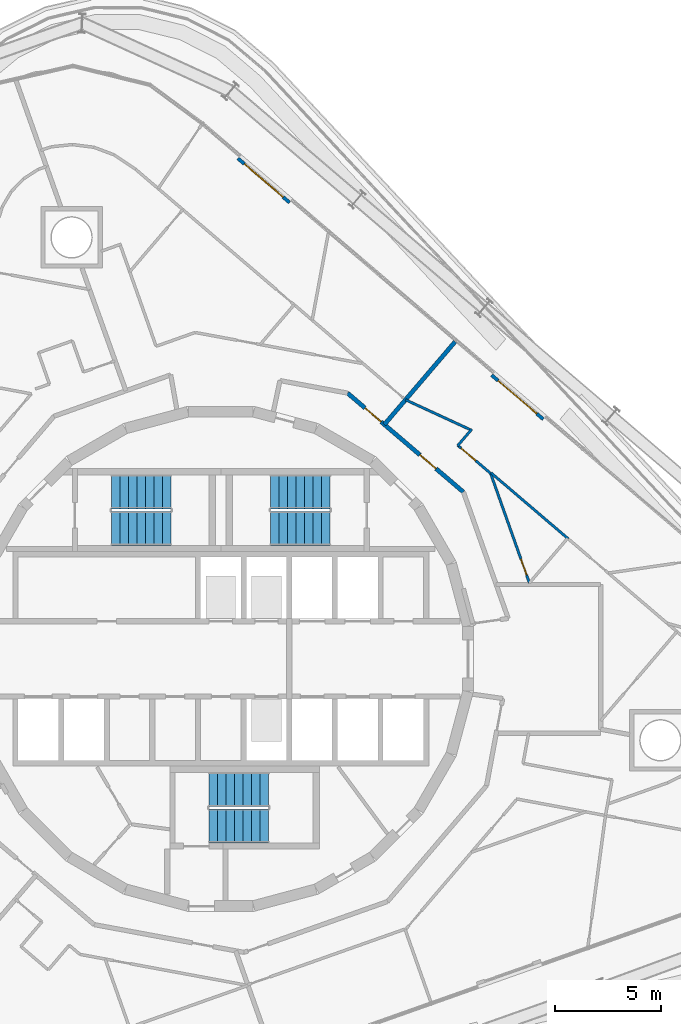
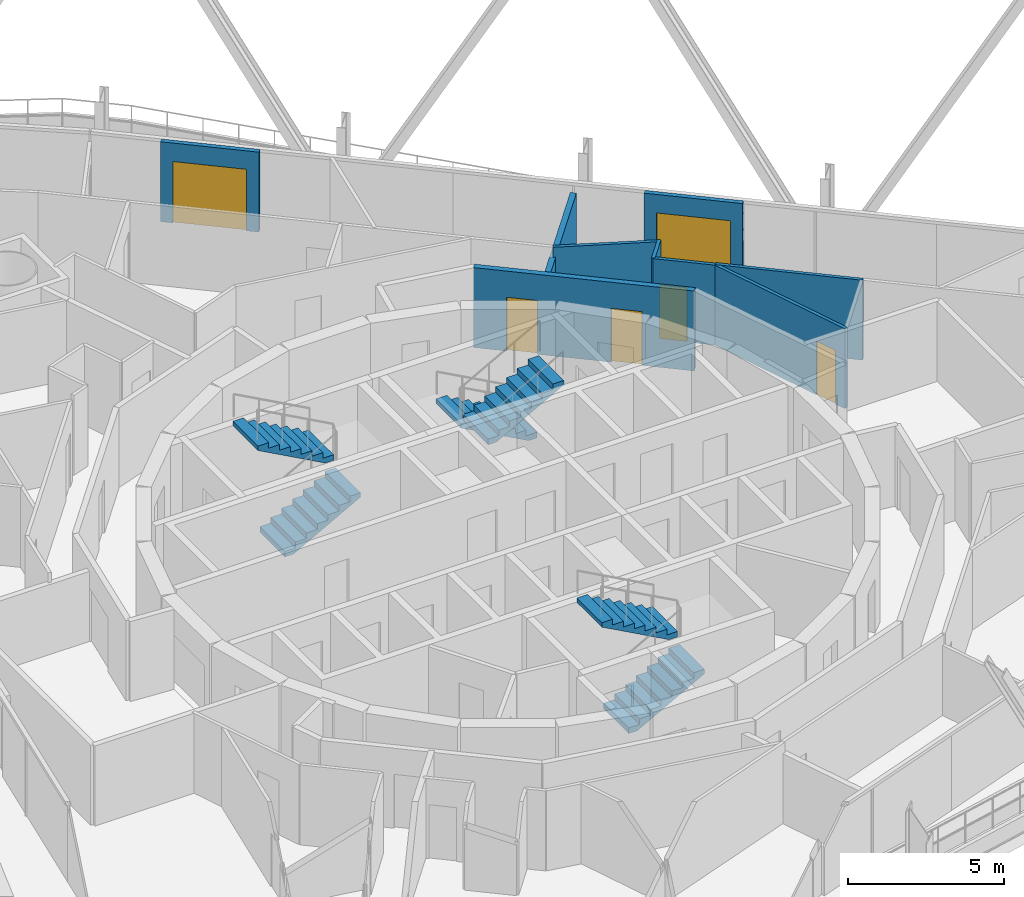
# One storey, part 16 of 25: 9 walls, 6 doors, 6 stair flights, 6 openings, 3 elements without a shape of their own.
"""IFC4 building model written with IfcOpenShell, lengths in metres."""

from ifc_helpers import new_model, si_unit, direction, frame, frame_2d, origin, place, context, subcontext, project, spatial, polyline, rectangle, outline, extrude, material, layer, layer_set, type_object, element, fill, aggregate, save


model = new_model("IFC4")

# Units and contexts
model_context = context("Model", 3, precision=1e-05, world=origin(), true_north=direction((0.0, 1.0)))
body_context = subcontext(model_context, "Body", "Model", "MODEL_VIEW")
ifc_project = project(units=[si_unit("LENGTHUNIT", "METRE"), si_unit("AREAUNIT", "SQUARE_METRE"), si_unit("VOLUMEUNIT", "CUBIC_METRE"), si_unit("PLANEANGLEUNIT", "RADIAN"), si_unit("MASSUNIT", "GRAM", prefix="KILO")], contexts=[model_context])

# Site, building, storey
site_placement = place(None, origin())
site = spatial("IfcSite", under=ifc_project, at=site_placement, CompositionType="ELEMENT")
building_placement = place(site_placement, origin())
building = spatial("IfcBuilding", under=site, at=building_placement, Name="Spindle Arch Residences", CompositionType="ELEMENT")
storey_placement = place(building_placement, frame((0.0, 0.0, 151.699951171875)))
storey = spatial("IfcBuildingStorey", under=building, at=storey_placement, Name="L37", CompositionType="ELEMENT", Elevation=151.699951171875)

# Wall, openings, doors
ifc_material_1 = material(Name="Calcium silicate block, plastered")
ifc_layer_1 = layer(ifc_material_1, 0.199951171875)
ifc_layer_set_1 = layer_set([ifc_layer_1], Name="Corridor wall 200")
wall_type_1 = type_object("IfcWallType", Name="Corridor wall 200", PredefinedType="STANDARD", material=ifc_layer_set_1)
wall_1_placement = place(storey_placement, frame((11.432861328125, 7.857666015625, 0.0), z_axis=(0.0, 0.0, 1.0), x_axis=(-0.760412154545, 0.649440801937, 0.0)))
wall_1 = element("IfcWall", 1, at=wall_1_placement, inside=storey, type_object=wall_type_1, Name="Corridor wall R4A0-W004", PredefinedType="STANDARD", context=body_context, shape_type="SweptSolid", body=[
    extrude(rectangle(XDim=7.180908203125, YDim=0.199951171875, at=frame_2d((3.59033203125, 0.0))), origin(), (0.0, 0.0, 1.0), 3.1201171875),
])
opening_1_placement = place(wall_1_placement, frame((1.699951171875, 0.0, 0.0)))
opening_1 = element("IfcOpeningElement", 2, at=opening_1_placement, cuts=wall_1, Name="Opening R4A0-FD01", PredefinedType="OPENING", context=body_context, shape_type="SweptSolid", body=[
    extrude(rectangle(XDim=1.0, YDim=2.10009765625, at=frame_2d((0.5, 1.050048828125))), frame((0.0, 0.10986328125, 0.0), z_axis=(0.0, -1.0, 0.0), x_axis=(1.0, 0.0, 0.0)), (0.0, 0.0, 1.0), 0.219970703125),
])
opening_2_placement = place(wall_1_placement, frame((5.1005859375, 0.0, 0.0)))
opening_2 = element("IfcOpeningElement", 3, at=opening_2_placement, cuts=wall_1, Name="Opening R4A0-FD02", PredefinedType="OPENING", context=body_context, shape_type="SweptSolid", body=[
    extrude(rectangle(XDim=1.0, YDim=2.10009765625, at=frame_2d((0.5, 1.050048828125))), frame((0.0, 0.10986328125, 0.0), z_axis=(0.0, -1.0, 0.0), x_axis=(1.0, 0.0, 0.0)), (0.0, 0.0, 1.0), 0.219970703125),
])
ifc_material_2 = material(Name="Timber, fire-resisting door set", Category="wood")
door_type_1 = type_object("IfcDoorType", Name="Flat entrance door 1000x2100", OperationType="NOTDEFINED", PredefinedType="DOOR", material=ifc_material_2)
door_1_placement = place(opening_1_placement, origin())
door_1 = element("IfcDoor", 4, at=door_1_placement, inside=storey, type_object=door_type_1, Name="Flat entrance door R4A0-FD01", OperationType="SINGLE_SWING_LEFT", OverallHeight=2.10009765625, OverallWidth=1.0, PredefinedType="DOOR", context=body_context, shape_type="SweptSolid", body=[
    extrude(rectangle(XDim=1.0, YDim=2.10009765625, at=frame_2d((0.5, 1.050048828125))), frame((0.0, 0.02490234375, 0.0), z_axis=(0.0, -1.0, 0.0), x_axis=(1.0, 0.0, 0.0)), (0.0, 0.0, 1.0), 0.050048828125),
])
fill(opening_1, door_1)
door_2_placement = place(opening_2_placement, origin())
door_2 = element("IfcDoor", 5, at=door_2_placement, inside=storey, type_object=door_type_1, Name="Flat entrance door R4A0-FD02", OperationType="SINGLE_SWING_RIGHT", OverallHeight=2.10009765625, OverallWidth=1.0, PredefinedType="DOOR", context=body_context, shape_type="SweptSolid", body=[
    extrude(rectangle(XDim=1.0, YDim=2.10009765625, at=frame_2d((0.5, 1.050048828125))), frame((0.0, 0.02490234375, 0.0), z_axis=(0.0, -1.0, 0.0), x_axis=(1.0, 0.0, 0.0)), (0.0, 0.0, 1.0), 0.050048828125),
])
fill(opening_2, door_2)

# Wall, opening, door
ifc_material_3 = material(Name="Plasterboard on steel studs", Category="steel")
ifc_layer_2 = layer(ifc_material_3, 0.1201171875)
ifc_layer_set_2 = layer_set([ifc_layer_2], Name="Flat partition 120")
wall_type_2 = type_object("IfcWallType", Name="Flat partition 120", PredefinedType="PARTITIONING", material=ifc_layer_set_2)
wall_2_placement = place(storey_placement, frame((14.540771484375, 3.57470703125, 0.0), z_axis=(0.0, 0.0, 1.0), x_axis=(-0.333799280318, 0.942644174893, 0.0)))
wall_2 = element("IfcWall", 6, at=wall_2_placement, inside=storey, type_object=wall_type_2, Name="Flat partition R4A0-W039", PredefinedType="PARTITIONING", context=body_context, shape_type="SweptSolid", body=[
    extrude(rectangle(XDim=5.476806640625, YDim=0.1201171875, at=frame_2d((2.73828125, 0.0))), origin(), (0.0, 0.0, 1.0), 3.1201171875),
])
opening_3_placement = place(wall_2_placement, frame((0.39990234375, 0.0, 0.0)))
opening_3 = element("IfcOpeningElement", 7, at=opening_3_placement, cuts=wall_2, Name="Opening R4A0-BD01", PredefinedType="OPENING", context=body_context, shape_type="SweptSolid", body=[
    extrude(rectangle(XDim=0.800048828125, YDim=2.10009765625, at=frame_2d((0.39990234375, 1.050048828125))), frame((0.0, 0.070068359375, 0.0), z_axis=(0.0, -1.0, 0.0), x_axis=(1.0, 0.0, 0.0)), (0.0, 0.0, 1.0), 0.14013671875),
])
ifc_material_4 = material(Name="Timber door set", Category="wood")
door_type_2 = type_object("IfcDoorType", Name="Bathroom door 800x2100", OperationType="NOTDEFINED", PredefinedType="DOOR", material=ifc_material_4)
door_3_placement = place(opening_3_placement, origin())
door_3 = element("IfcDoor", 8, at=door_3_placement, inside=storey, type_object=door_type_2, Name="Bathroom door R4A0-BD01", OperationType="SINGLE_SWING_LEFT", OverallHeight=2.10009765625, OverallWidth=0.800048828125, PredefinedType="DOOR", context=body_context, shape_type="SweptSolid", body=[
    extrude(rectangle(XDim=0.800048828125, YDim=2.10009765625, at=frame_2d((0.39990234375, 1.050048828125))), frame((0.0, 0.02490234375, 0.0), z_axis=(0.0, -1.0, 0.0), x_axis=(1.0, 0.0, 0.0)), (0.0, 0.0, 1.0), 0.050048828125),
])
fill(opening_3, door_3)

wall_3_placement = place(storey_placement, frame((12.712646484375, 8.7373046875, 0.0), z_axis=(0.0, 0.0, 1.0), x_axis=(-0.760410825807, 0.649442357716, 0.0)))
wall_3 = element("IfcWall", 9, at=wall_3_placement, inside=storey, type_object=wall_type_2, Name="Flat partition R4A0-W040", PredefinedType="PARTITIONING", context=body_context, shape_type="SweptSolid", body=[
    extrude(rectangle(XDim=2.028564453125, YDim=0.1201171875, at=frame_2d((1.01416015625, 0.0))), origin(), (0.0, 0.0, 1.0), 3.1201171875),
])
opening_4_placement = place(wall_3_placement, frame((0.9287109375, 0.0, 0.0)))
opening_4 = element("IfcOpeningElement", 10, at=opening_4_placement, cuts=wall_3, Name="Opening R4A0-ID01", PredefinedType="OPENING", context=body_context, shape_type="SweptSolid", body=[
    extrude(rectangle(XDim=0.89990234375, YDim=2.10009765625, at=frame_2d((0.449951171875, 1.050048828125))), frame((0.0, 0.070068359375, 0.0), z_axis=(0.0, -1.0, 0.0), x_axis=(1.0, 0.0, 0.0)), (0.0, 0.0, 1.0), 0.14013671875),
])
ifc_material_5 = material(Name="Timber door set", Category="wood")
door_type_3 = type_object("IfcDoorType", Name="Room door 900x2100", OperationType="NOTDEFINED", PredefinedType="DOOR", material=ifc_material_5)
door_4_placement = place(opening_4_placement, origin())
door_4 = element("IfcDoor", 11, at=door_4_placement, inside=storey, type_object=door_type_3, Name="Room door R4A0-ID01", OperationType="SINGLE_SWING_LEFT", OverallHeight=2.10009765625, OverallWidth=0.89990234375, PredefinedType="DOOR", context=body_context, shape_type="SweptSolid", body=[
    extrude(rectangle(XDim=0.89990234375, YDim=2.10009765625, at=frame_2d((0.449951171875, 1.050048828125))), frame((0.0, 0.02490234375, 0.0), z_axis=(0.0, -1.0, 0.0), x_axis=(1.0, 0.0, 0.0)), (0.0, 0.0, 1.0), 0.050048828125),
])
fill(opening_4, door_4)

# Walls
wall_4_placement = place(storey_placement, frame((12.734130859375, 8.76220703125, 0.0), z_axis=(0.0, 0.0, 1.0), x_axis=(0.760390484255, -0.649466174219, 0.0)))
element("IfcWall", 12, at=wall_4_placement, inside=storey, type_object=wall_type_2, Name="Flat partition R4A0-W041", PredefinedType="PARTITIONING", context=body_context, shape_type="SweptSolid", body=[
    extrude(rectangle(XDim=4.78271484375, YDim=0.1201171875, at=frame_2d((2.391357421875, 0.0))), origin(), (0.0, 0.0, 1.0), 3.1201171875),
])
wall_5_placement = place(storey_placement, frame((11.152587890625, 10.0341796875, 0.0), z_axis=(0.0, 0.0, 1.0), x_axis=(0.649381401329, 0.760462882466, 0.0)))
element("IfcWall", 13, at=wall_5_placement, inside=storey, type_object=wall_type_2, Name="Flat partition R4A0-W042", PredefinedType="PARTITIONING", context=body_context, shape_type="SweptSolid", body=[
    extrude(rectangle(XDim=1.041748046875, YDim=0.1201171875, at=frame_2d((0.52099609375, 0.0))), origin(), (0.0, 0.0, 1.0), 3.1201171875),
])
wall_6_placement = place(storey_placement, frame((11.790283203125, 10.78076171875, 0.0), z_axis=(0.0, 0.0, 1.0), x_axis=(-0.907999296286, 0.418971691101, 0.0)))
element("IfcWall", 14, at=wall_6_placement, inside=storey, type_object=wall_type_2, Name="Flat partition R4A0-W043", PredefinedType="PARTITIONING", context=body_context, shape_type="SweptSolid", body=[
    extrude(rectangle(XDim=3.4013671875, YDim=0.1201171875, at=frame_2d((1.70068359375, 0.0))), origin(), (0.0, 0.0, 1.0), 3.1201171875),
])
ifc_material_6 = material(Name="Calcium silicate block, plastered")
ifc_layer_3 = layer(ifc_material_6, 0.199951171875)
ifc_layer_set_3 = layer_set([ifc_layer_3], Name="Flat party wall 200 under beam 2730")
wall_type_3 = type_object("IfcWallType", Name="Flat party wall 200 under beam 2730", PredefinedType="STANDARD", material=ifc_layer_set_3)
wall_7_placement = place(storey_placement, frame((11.0400390625, 14.943359375, 0.0), z_axis=(0.0, 0.0, 1.0), x_axis=(-0.649442880087, -0.760410379666, 0.0)))
element("IfcWall", 15, at=wall_7_placement, inside=storey, type_object=wall_type_3, Name="Flat party wall R4A0-W027", PredefinedType="STANDARD", context=body_context, shape_type="SweptSolid", body=[
    extrude(rectangle(XDim=5.1328125, YDim=0.199951171875, at=frame_2d((2.56640625, 0.0))), origin(), (0.0, 0.0, 1.0), 2.72998046875),
])

# Wall, opening, door
ifc_material_7 = material(Name="Non-combustible mineral wool insulated aluminium faced external wall (K0)", Category="aluminium")
ifc_layer_4 = layer(ifc_material_7, 0.159912109375)
ifc_layer_set_4 = layer_set([ifc_layer_4], Name="Insulated external wall panel 160")
wall_type_4 = type_object("IfcWallType", Name="Insulated external wall panel 160", PredefinedType="STANDARD", material=ifc_layer_set_4)
wall_8_placement = place(storey_placement, frame((15.193115234375, 11.291015625, 0.0), z_axis=(0.0, 0.0, 1.0), x_axis=(-0.760391731187, 0.649464714317, 0.0)))
wall_8 = element("IfcWall", 16, at=wall_8_placement, inside=storey, type_object=wall_type_4, Name="External wall L37 bay 7", PredefinedType="STANDARD", context=body_context, shape_type="SweptSolid", body=[
    extrude(rectangle(XDim=3.2001953125, YDim=0.159912109375, at=frame_2d((1.60009765625, 0.0))), origin(), (0.0, 0.0, 1.0), 3.1201171875),
])
opening_5_placement = place(wall_8_placement, frame((0.39990234375, 0.0, 0.0)))
opening_5 = element("IfcOpeningElement", 17, at=opening_5_placement, cuts=wall_8, Name="Opening BD07", PredefinedType="OPENING", context=body_context, shape_type="SweptSolid", body=[
    extrude(rectangle(XDim=2.39990234375, YDim=2.39990234375, at=frame_2d((1.199951171875, 1.199951171875))), frame((0.0, 0.08984375, 0.0), z_axis=(0.0, -1.0, 0.0), x_axis=(1.0, 0.0, 0.0)), (0.0, 0.0, 1.0), 0.179931640625),
])
ifc_material_8 = material(Name="Bronze aluminium frame, tinted double glazing", Category="aluminium")
door_type_4 = type_object("IfcDoorType", Name="Sliding glazed balcony door 2400x2400", OperationType="DOUBLE_DOOR_SLIDING", PredefinedType="DOOR", material=ifc_material_8)
door_5_placement = place(opening_5_placement, origin())
door_5 = element("IfcDoor", 18, at=door_5_placement, inside=storey, type_object=door_type_4, Name="Balcony door BD07", OperationType="DOUBLE_DOOR_SLIDING", OverallHeight=2.39990234375, OverallWidth=2.39990234375, PredefinedType="DOOR", context=body_context, shape_type="SweptSolid", body=[
    extrude(rectangle(XDim=2.39990234375, YDim=2.39990234375, at=frame_2d((1.199951171875, 1.199951171875))), frame((0.0, 0.02490234375, 0.0), z_axis=(0.0, -1.0, 0.0), x_axis=(1.0, 0.0, 0.0)), (0.0, 0.0, 1.0), 0.050048828125),
])
fill(opening_5, door_5)

wall_9_placement = place(storey_placement, frame((3.239501953125, 21.50048828125, 0.0), z_axis=(0.0, 0.0, 1.0), x_axis=(-0.760429407868, 0.649420599957, 0.0)))
wall_9 = element("IfcWall", 19, at=wall_9_placement, inside=storey, type_object=wall_type_4, Name="External wall L37 bay 9", PredefinedType="STANDARD", context=body_context, shape_type="SweptSolid", body=[
    extrude(rectangle(XDim=3.199951171875, YDim=0.159912109375, at=frame_2d((1.60009765625, 0.0))), origin(), (0.0, 0.0, 1.0), 3.1201171875),
])
opening_6_placement = place(wall_9_placement, frame((0.39990234375, 0.0, 0.0)))
opening_6 = element("IfcOpeningElement", 20, at=opening_6_placement, cuts=wall_9, Name="Opening BD09", PredefinedType="OPENING", context=body_context, shape_type="SweptSolid", body=[
    extrude(rectangle(XDim=2.39990234375, YDim=2.39990234375, at=frame_2d((1.199951171875, 1.199951171875))), frame((0.0, 0.08984375, 0.0), z_axis=(0.0, -1.0, 0.0), x_axis=(1.0, 0.0, 0.0)), (0.0, 0.0, 1.0), 0.179931640625),
])
door_6_placement = place(opening_6_placement, origin())
door_6 = element("IfcDoor", 21, at=door_6_placement, inside=storey, type_object=door_type_4, Name="Balcony door BD09", OperationType="DOUBLE_DOOR_SLIDING", OverallHeight=2.39990234375, OverallWidth=2.39990234375, PredefinedType="DOOR", context=body_context, shape_type="SweptSolid", body=[
    extrude(rectangle(XDim=2.39990234375, YDim=2.39990234375, at=frame_2d((1.199951171875, 1.199951171875))), frame((0.0, 0.02490234375, 0.0), z_axis=(0.0, -1.0, 0.0), x_axis=(1.0, 0.0, 0.0)), (0.0, 0.0, 1.0), 0.050048828125),
])
fill(opening_6, door_6)

# Stair, stair flights
ifc_material_9 = material(Name="Concrete C50/60", Category="concrete")
stair_type = type_object("IfcStairType", Name="Exit stair 16 risers", PredefinedType="HALF_TURN_STAIR", material=ifc_material_9)
stair_1_placement = place(storey_placement, origin())
stair_1 = element("IfcStair", 22, at=stair_1_placement, inside=storey, type_object=stair_type, Name="L37 Exit stair ST1", PredefinedType="HALF_TURN_STAIR")
ifc_material_10 = material(Name="Concrete C50/60", Category="concrete")
stair_flight_type = type_object("IfcStairFlightType", Name="Exit stair flight", PredefinedType="STRAIGHT", material=ifc_material_10)
stair_flight_1_placement = place(storey_placement, frame((5.14990234375, 7.8701171875, 0.0), z_axis=(0.0, 0.0, 1.0), x_axis=(-1.0, 0.0, 0.0)))
stair_flight_1 = element("IfcStairFlight", 23, at=stair_flight_1_placement, type_object=stair_flight_type, Name="ST1 flight 1", NumberOfRisers=8, NumberOfTreads=7, PredefinedType="STRAIGHT", RiserHeight=0.21875, TreadLength=0.4, context=body_context, shape_type="SweptSolid", body=[
    extrude(outline(polyline([(0.0, 0.0), (0.0, 0.21875), (0.39990234375, 0.21875), (0.39990234375, 0.4375), (0.800048828125, 0.4375), (0.800048828125, 0.65625), (1.199951171875, 0.65625), (1.199951171875, 0.875), (1.60009765625, 0.875), (1.60009765625, 1.09375), (2.0, 1.09375), (2.0, 1.3125), (2.39990234375, 1.3125), (2.39990234375, 1.53125), (2.800048828125, 1.53125), (2.800048828125, 1.75), (2.800048828125, 1.3603515625), (0.3125, 0.0), (0.0, 0.0)])), frame((0.0, 0.800048828125, 0.0), z_axis=(0.0, -1.0, 0.0), x_axis=(1.0, 0.0, 0.0)), (0.0, 0.0, 1.0), 1.60009765625),
])
stair_flight_2_placement = place(storey_placement, frame((2.35009765625, 6.14990234375, 1.75), z_axis=(0.0, 0.0, 1.0), x_axis=(1.0, 0.0, 0.0)))
stair_flight_2 = element("IfcStairFlight", 24, at=stair_flight_2_placement, type_object=stair_flight_type, Name="ST1 flight 2", NumberOfRisers=8, NumberOfTreads=7, PredefinedType="STRAIGHT", RiserHeight=0.21875, TreadLength=0.4, context=body_context, shape_type="SweptSolid", body=[
    extrude(outline(polyline([(0.0, 0.0), (0.0, 0.21875), (0.39990234375, 0.21875), (0.39990234375, 0.4375), (0.800048828125, 0.4375), (0.800048828125, 0.65625), (1.199951171875, 0.65625), (1.199951171875, 0.875), (1.60009765625, 0.875), (1.60009765625, 1.09375), (2.0, 1.09375), (2.0, 1.3125), (2.39990234375, 1.3125), (2.39990234375, 1.53125), (2.800048828125, 1.53125), (2.800048828125, 1.75), (2.800048828125, 1.3603515625), (0.3125, 0.0), (0.0, 0.0)])), frame((0.0, 0.800048828125, 0.0), z_axis=(0.0, -1.0, 0.0), x_axis=(1.0, 0.0, 0.0)), (0.0, 0.0, 1.0), 1.60009765625),
])
aggregate(stair_1, [stair_flight_1, stair_flight_2])

stair_2_placement = place(storey_placement, origin())
stair_2 = element("IfcStair", 25, at=stair_2_placement, inside=storey, type_object=stair_type, Name="L37 Exit stair ST2", PredefinedType="HALF_TURN_STAIR")
stair_flight_3_placement = place(storey_placement, frame((-5.14990234375, 6.14990234375, 0.0), z_axis=(0.0, 0.0, 1.0), x_axis=(1.0, 0.0, 0.0)))
stair_flight_3 = element("IfcStairFlight", 26, at=stair_flight_3_placement, type_object=stair_flight_type, Name="ST2 flight 1", NumberOfRisers=8, NumberOfTreads=7, PredefinedType="STRAIGHT", RiserHeight=0.21875, TreadLength=0.4, context=body_context, shape_type="SweptSolid", body=[
    extrude(outline(polyline([(0.0, 0.0), (0.0, 0.21875), (0.39990234375, 0.21875), (0.39990234375, 0.4375), (0.800048828125, 0.4375), (0.800048828125, 0.65625), (1.199951171875, 0.65625), (1.199951171875, 0.875), (1.60009765625, 0.875), (1.60009765625, 1.09375), (2.0, 1.09375), (2.0, 1.3125), (2.39990234375, 1.3125), (2.39990234375, 1.53125), (2.800048828125, 1.53125), (2.800048828125, 1.75), (2.800048828125, 1.3603515625), (0.3125, 0.0), (0.0, 0.0)])), frame((0.0, 0.800048828125, 0.0), z_axis=(0.0, -1.0, 0.0), x_axis=(1.0, 0.0, 0.0)), (0.0, 0.0, 1.0), 1.60009765625),
])
stair_flight_4_placement = place(storey_placement, frame((-2.35009765625, 7.8701171875, 1.75), z_axis=(0.0, 0.0, 1.0), x_axis=(-1.0, 0.0, 0.0)))
stair_flight_4 = element("IfcStairFlight", 27, at=stair_flight_4_placement, type_object=stair_flight_type, Name="ST2 flight 2", NumberOfRisers=8, NumberOfTreads=7, PredefinedType="STRAIGHT", RiserHeight=0.21875, TreadLength=0.4, context=body_context, shape_type="SweptSolid", body=[
    extrude(outline(polyline([(0.0, 0.0), (0.0, 0.21875), (0.39990234375, 0.21875), (0.39990234375, 0.4375), (0.800048828125, 0.4375), (0.800048828125, 0.65625), (1.199951171875, 0.65625), (1.199951171875, 0.875), (1.60009765625, 0.875), (1.60009765625, 1.09375), (2.0, 1.09375), (2.0, 1.3125), (2.39990234375, 1.3125), (2.39990234375, 1.53125), (2.800048828125, 1.53125), (2.800048828125, 1.75), (2.800048828125, 1.3603515625), (0.3125, 0.0), (0.0, 0.0)])), frame((0.0, 0.800048828125, 0.0), z_axis=(0.0, -1.0, 0.0), x_axis=(1.0, 0.0, 0.0)), (0.0, 0.0, 1.0), 1.60009765625),
])
aggregate(stair_2, [stair_flight_3, stair_flight_4])

stair_3_placement = place(storey_placement, origin())
stair_3 = element("IfcStair", 28, at=stair_3_placement, inside=storey, type_object=stair_type, Name="L37 Exit stair ST3", PredefinedType="HALF_TURN_STAIR")
stair_flight_5_placement = place(storey_placement, frame((-0.550048828125, -7.8701171875, 0.0), z_axis=(0.0, 0.0, 1.0), x_axis=(1.0, 0.0, 0.0)))
stair_flight_5 = element("IfcStairFlight", 29, at=stair_flight_5_placement, type_object=stair_flight_type, Name="ST3 flight 1", NumberOfRisers=8, NumberOfTreads=7, PredefinedType="STRAIGHT", RiserHeight=0.21875, TreadLength=0.4, context=body_context, shape_type="SweptSolid", body=[
    extrude(outline(polyline([(0.0, 0.0), (0.0, 0.21875), (0.39990234375, 0.21875), (0.39990234375, 0.4375), (0.800048828125, 0.4375), (0.800048828125, 0.65625), (1.199951171875, 0.65625), (1.199951171875, 0.875), (1.60009765625, 0.875), (1.60009765625, 1.09375), (2.0, 1.09375), (2.0, 1.3125), (2.39990234375, 1.3125), (2.39990234375, 1.53125), (2.800048828125, 1.53125), (2.800048828125, 1.75), (2.800048828125, 1.3603515625), (0.3125, 0.0), (0.0, 0.0)])), frame((0.0, 0.800048828125, 0.0), z_axis=(0.0, -1.0, 0.0), x_axis=(1.0, 0.0, 0.0)), (0.0, 0.0, 1.0), 1.60009765625),
])
stair_flight_6_placement = place(storey_placement, frame((2.25, -6.14990234375, 1.75), z_axis=(0.0, 0.0, 1.0), x_axis=(-1.0, 0.0, 0.0)))
stair_flight_6 = element("IfcStairFlight", 30, at=stair_flight_6_placement, type_object=stair_flight_type, Name="ST3 flight 2", NumberOfRisers=8, NumberOfTreads=7, PredefinedType="STRAIGHT", RiserHeight=0.21875, TreadLength=0.4, context=body_context, shape_type="SweptSolid", body=[
    extrude(outline(polyline([(0.0, 0.0), (0.0, 0.21875), (0.39990234375, 0.21875), (0.39990234375, 0.4375), (0.800048828125, 0.4375), (0.800048828125, 0.65625), (1.199951171875, 0.65625), (1.199951171875, 0.875), (1.60009765625, 0.875), (1.60009765625, 1.09375), (2.0, 1.09375), (2.0, 1.3125), (2.39990234375, 1.3125), (2.39990234375, 1.53125), (2.800048828125, 1.53125), (2.800048828125, 1.75), (2.800048828125, 1.3603515625), (0.3125, 0.0), (0.0, 0.0)])), frame((0.0, 0.800048828125, 0.0), z_axis=(0.0, -1.0, 0.0), x_axis=(1.0, 0.0, 0.0)), (0.0, 0.0, 1.0), 1.60009765625),
])
aggregate(stair_3, [stair_flight_5, stair_flight_6])

save(model, "model.ifc")
